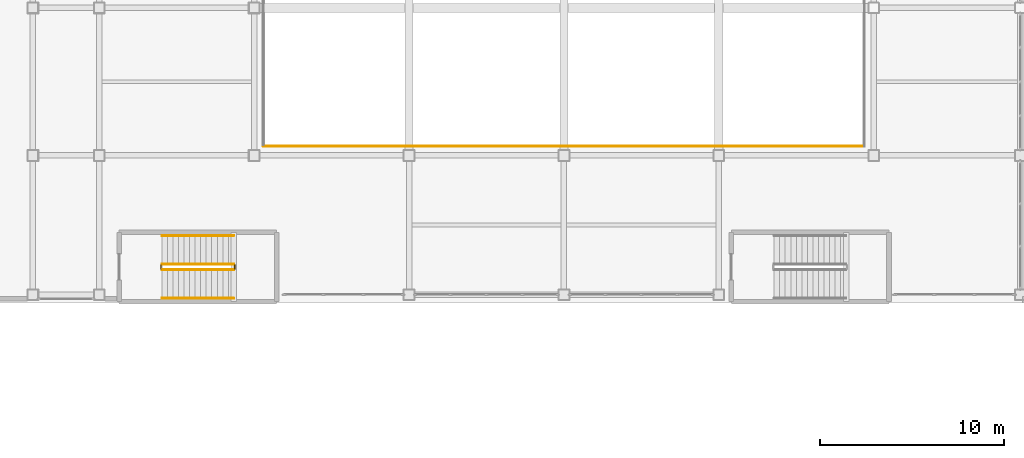
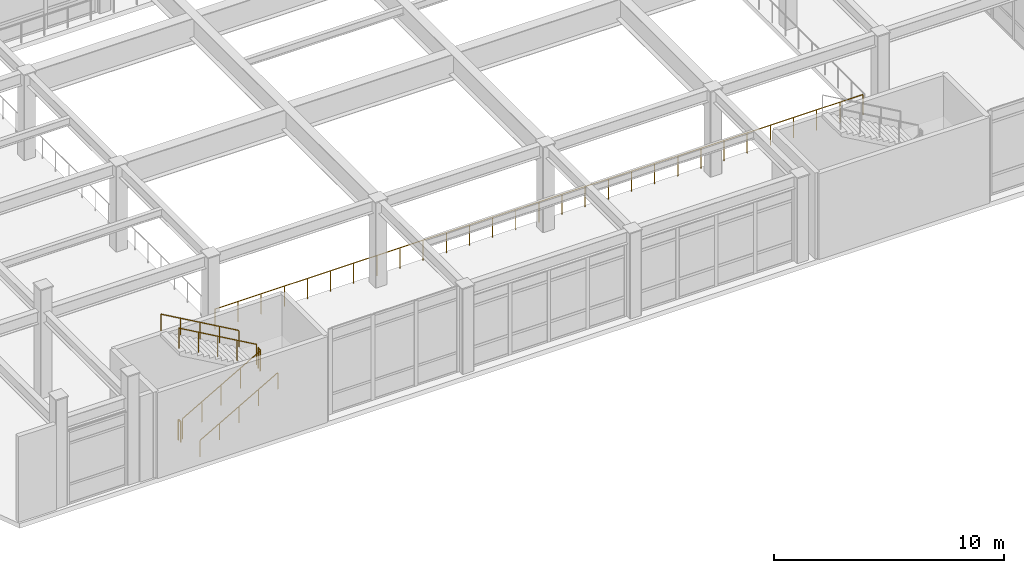
# One storey, part 153 of 172: 7 railings.
"""IFC4 building model written with IfcOpenShell, lengths in metres."""

from ifc_helpers import new_model, si_unit, direction, frame, origin, origin_2d, place, context, subcontext, project, spatial, circle, extrude, material, type_object, element, save


model = new_model("IFC4")

# Units and contexts
model_context = context("Model", 3, precision=1e-05, world=origin(), true_north=direction((0.0, 1.0)))
body_context = subcontext(model_context, "Body", "Model", "MODEL_VIEW")
ifc_project = project(units=[si_unit("LENGTHUNIT", "METRE"), si_unit("AREAUNIT", "SQUARE_METRE"), si_unit("VOLUMEUNIT", "CUBIC_METRE"), si_unit("PLANEANGLEUNIT", "RADIAN"), si_unit("MASSUNIT", "GRAM", prefix="KILO")], contexts=[model_context])

# Site, building, storey
site_placement = place(None, origin())
site = spatial("IfcSite", under=ifc_project, at=site_placement, CompositionType="ELEMENT")
building_placement = place(site_placement, origin())
building = spatial("IfcBuilding", under=site, at=building_placement, Name="Kazehara Bluff Congress Hotel", CompositionType="ELEMENT")
storey_placement = place(building_placement, frame((0.0, 0.0, 5.39990234375)))
storey = spatial("IfcBuildingStorey", under=building, at=storey_placement, Name="L01", CompositionType="ELEMENT", Elevation=5.39990234375)

# Railings
ifc_material_1 = material(Name="Brushed stainless steel", Category="steel")
railing_type_1 = type_object("IfcRailingType", Name="TP-GRD-INT", PredefinedType="GUARDRAIL", material=ifc_material_1)
railing_1_placement = place(storey_placement, frame((11.800048828125, 1.800048828125, 0.171630859375)))
element("IfcRailing", 1, at=railing_1_placement, inside=storey, type_object=railing_type_1, Name="L01 ST-04 stair guard 1", PredefinedType="GUARDRAIL", context=body_context, shape_type="SweptSolid", body=[
    extrude(circle(Radius=0.02392578125, at=origin_2d()), frame((0.0, 0.0, 1.076171875), z_axis=(0.868243142124, 0.0, 0.496138938357), x_axis=(0.0, 1.0, 0.0)), (0.0, 0.0, 1.0), 4.49169921875),
    extrude(circle(Radius=0.02099609375, at=origin_2d()), origin(), (0.0, 0.0, 1.0), 1.052001953125),
    extrude(circle(Radius=0.02099609375, at=origin_2d()), frame((0.97509765625, 0.0, 0.55712890625)), (0.0, 0.0, 1.0), 1.052001953125),
    extrude(circle(Radius=0.02099609375, at=origin_2d()), frame((1.949951171875, 0.0, 1.1142578125)), (0.0, 0.0, 1.0), 1.052001953125),
    extrude(circle(Radius=0.02099609375, at=origin_2d()), frame((2.9248046875, 0.0, 1.67138671875)), (0.0, 0.0, 1.0), 1.052001953125),
    extrude(circle(Radius=0.02099609375, at=origin_2d()), frame((3.89990234375, 0.0, 2.228515625)), (0.0, 0.0, 1.0), 1.052001953125),
])
railing_2_placement = place(storey_placement, frame((15.75, 1.85009765625, 2.400146484375)))
element("IfcRailing", 2, at=railing_2_placement, inside=storey, type_object=railing_type_1, Name="L01 ST-04 stair guard 2", PredefinedType="GUARDRAIL", context=body_context, shape_type="SweptSolid", body=[
    extrude(circle(Radius=0.02392578125, at=origin_2d()), frame((0.0, 0.0, 1.076171875), z_axis=(0.0, 1.0, 0.0), x_axis=(-1.0, 0.0, 0.0)), (0.0, 0.0, 1.0), 0.199951171875),
    extrude(circle(Radius=0.02099609375, at=origin_2d()), origin(), (0.0, 0.0, 1.0), 1.052001953125),
    extrude(circle(Radius=0.02099609375, at=origin_2d()), frame((0.0, 0.199951171875, 0.0)), (0.0, 0.0, 1.0), 1.052001953125),
])
railing_3_placement = place(storey_placement, frame((15.699951171875, 2.10009765625, 2.571533203125)))
element("IfcRailing", 3, at=railing_3_placement, inside=storey, type_object=railing_type_1, Name="L01 ST-04 stair guard 3", PredefinedType="GUARDRAIL", context=body_context, shape_type="SweptSolid", body=[
    extrude(circle(Radius=0.02392578125, at=origin_2d()), frame((0.0, 0.0, 1.076171875), z_axis=(-0.868243142124, 0.0, 0.496138938357), x_axis=(0.0, -1.0, 0.0)), (0.0, 0.0, 1.0), 4.49169921875),
    extrude(circle(Radius=0.02099609375, at=origin_2d()), origin(), (0.0, 0.0, 1.0), 1.052001953125),
    extrude(circle(Radius=0.02099609375, at=origin_2d()), frame((-0.97509765625, 0.0, 0.55712890625)), (0.0, 0.0, 1.0), 1.052001953125),
    extrude(circle(Radius=0.02099609375, at=origin_2d()), frame((-1.949951171875, 0.0, 1.1142578125)), (0.0, 0.0, 1.0), 1.052001953125),
    extrude(circle(Radius=0.02099609375, at=origin_2d()), frame((-2.9248046875, 0.0, 1.67138671875)), (0.0, 0.0, 1.0), 1.052001953125),
    extrude(circle(Radius=0.02099609375, at=origin_2d()), frame((-3.89990234375, 0.0, 2.228515625)), (0.0, 0.0, 1.0), 1.052001953125),
])
railing_4_placement = place(storey_placement, frame((11.75, 1.85009765625, 0.0)))
element("IfcRailing", 4, at=railing_4_placement, inside=storey, type_object=railing_type_1, Name="L01 ST-04 stair guard 4", PredefinedType="GUARDRAIL", context=body_context, shape_type="SweptSolid", body=[
    extrude(circle(Radius=0.02392578125, at=origin_2d()), frame((0.0, 0.0, 1.076171875), z_axis=(0.0, 1.0, 0.0), x_axis=(-1.0, 0.0, 0.0)), (0.0, 0.0, 1.0), 0.199951171875),
    extrude(circle(Radius=0.02099609375, at=origin_2d()), origin(), (0.0, 0.0, 1.0), 1.052001953125),
    extrude(circle(Radius=0.02099609375, at=origin_2d()), frame((0.0, 0.199951171875, 0.0)), (0.0, 0.0, 1.0), 1.052001953125),
])
railing_5_placement = place(storey_placement, frame((17.300048828125, 8.5, 0.0)))
element("IfcRailing", 5, at=railing_5_placement, inside=storey, type_object=railing_type_1, Name="L01 V2-VOID void guardrail S", PredefinedType="GUARDRAIL", context=body_context, shape_type="SweptSolid", body=[
    extrude(circle(Radius=0.02392578125, at=origin_2d()), frame((0.0, 0.0, 1.076171875), z_axis=(1.0, 0.0, 0.0), x_axis=(0.0, 1.0, 0.0)), (0.0, 0.0, 1.0), 32.52001953125),
    extrude(circle(Radius=0.02099609375, at=origin_2d()), origin(), (0.0, 0.0, 1.0), 1.052001953125),
    extrude(circle(Radius=0.02099609375, at=origin_2d()), frame((1.161376953125, 0.0, 0.0)), (0.0, 0.0, 1.0), 1.052001953125),
    extrude(circle(Radius=0.02099609375, at=origin_2d()), frame((2.32275390625, 0.0, 0.0)), (0.0, 0.0, 1.0), 1.052001953125),
    extrude(circle(Radius=0.02099609375, at=origin_2d()), frame((3.484375, 0.0, 0.0)), (0.0, 0.0, 1.0), 1.052001953125),
    extrude(circle(Radius=0.02099609375, at=origin_2d()), frame((4.645751953125, 0.0, 0.0)), (0.0, 0.0, 1.0), 1.052001953125),
    extrude(circle(Radius=0.02099609375, at=origin_2d()), frame((5.80712890625, 0.0, 0.0)), (0.0, 0.0, 1.0), 1.052001953125),
    extrude(circle(Radius=0.02099609375, at=origin_2d()), frame((6.968505859375, 0.0, 0.0)), (0.0, 0.0, 1.0), 1.052001953125),
    extrude(circle(Radius=0.02099609375, at=origin_2d()), frame((8.1298828125, 0.0, 0.0)), (0.0, 0.0, 1.0), 1.052001953125),
    extrude(circle(Radius=0.02099609375, at=origin_2d()), frame((9.29150390625, 0.0, 0.0)), (0.0, 0.0, 1.0), 1.052001953125),
    extrude(circle(Radius=0.02099609375, at=origin_2d()), frame((10.452880859375, 0.0, 0.0)), (0.0, 0.0, 1.0), 1.052001953125),
    extrude(circle(Radius=0.02099609375, at=origin_2d()), frame((11.6142578125, 0.0, 0.0)), (0.0, 0.0, 1.0), 1.052001953125),
    extrude(circle(Radius=0.02099609375, at=origin_2d()), frame((12.775634765625, 0.0, 0.0)), (0.0, 0.0, 1.0), 1.052001953125),
    extrude(circle(Radius=0.02099609375, at=origin_2d()), frame((13.937255859375, 0.0, 0.0)), (0.0, 0.0, 1.0), 1.052001953125),
    extrude(circle(Radius=0.02099609375, at=origin_2d()), frame((15.0986328125, 0.0, 0.0)), (0.0, 0.0, 1.0), 1.052001953125),
    extrude(circle(Radius=0.02099609375, at=origin_2d()), frame((16.260009765625, 0.0, 0.0)), (0.0, 0.0, 1.0), 1.052001953125),
    extrude(circle(Radius=0.02099609375, at=origin_2d()), frame((17.42138671875, 0.0, 0.0)), (0.0, 0.0, 1.0), 1.052001953125),
    extrude(circle(Radius=0.02099609375, at=origin_2d()), frame((18.582763671875, 0.0, 0.0)), (0.0, 0.0, 1.0), 1.052001953125),
    extrude(circle(Radius=0.02099609375, at=origin_2d()), frame((19.744384765625, 0.0, 0.0)), (0.0, 0.0, 1.0), 1.052001953125),
    extrude(circle(Radius=0.02099609375, at=origin_2d()), frame((20.90576171875, 0.0, 0.0)), (0.0, 0.0, 1.0), 1.052001953125),
    extrude(circle(Radius=0.02099609375, at=origin_2d()), frame((22.067138671875, 0.0, 0.0)), (0.0, 0.0, 1.0), 1.052001953125),
    extrude(circle(Radius=0.02099609375, at=origin_2d()), frame((23.228515625, 0.0, 0.0)), (0.0, 0.0, 1.0), 1.052001953125),
    extrude(circle(Radius=0.02099609375, at=origin_2d()), frame((24.39013671875, 0.0, 0.0)), (0.0, 0.0, 1.0), 1.052001953125),
    extrude(circle(Radius=0.02099609375, at=origin_2d()), frame((25.551513671875, 0.0, 0.0)), (0.0, 0.0, 1.0), 1.052001953125),
    extrude(circle(Radius=0.02099609375, at=origin_2d()), frame((26.712890625, 0.0, 0.0)), (0.0, 0.0, 1.0), 1.052001953125),
    extrude(circle(Radius=0.02099609375, at=origin_2d()), frame((27.874267578125, 0.0, 0.0)), (0.0, 0.0, 1.0), 1.052001953125),
    extrude(circle(Radius=0.02099609375, at=origin_2d()), frame((29.03564453125, 0.0, 0.0)), (0.0, 0.0, 1.0), 1.052001953125),
    extrude(circle(Radius=0.02099609375, at=origin_2d()), frame((30.197265625, 0.0, 0.0)), (0.0, 0.0, 1.0), 1.052001953125),
    extrude(circle(Radius=0.02099609375, at=origin_2d()), frame((31.358642578125, 0.0, 0.0)), (0.0, 0.0, 1.0), 1.052001953125),
    extrude(circle(Radius=0.02099609375, at=origin_2d()), frame((32.52001953125, 0.0, 0.0)), (0.0, 0.0, 1.0), 1.052001953125),
])
ifc_material_2 = material(Name="Brushed stainless steel", Category="steel")
railing_type_2 = type_object("IfcRailingType", Name="TP-HR-INT", PredefinedType="HANDRAIL", material=ifc_material_2)
railing_6_placement = place(storey_placement, frame((11.800048828125, 0.25, 0.171630859375)))
element("IfcRailing", 6, at=railing_6_placement, inside=storey, type_object=railing_type_2, Name="L01 ST-04 stair handrail 1", PredefinedType="HANDRAIL", context=body_context, shape_type="SweptSolid", body=[
    extrude(circle(Radius=0.02392578125, at=origin_2d()), frame((0.0, 0.0, 0.8759765625), z_axis=(0.868243142124, 0.0, 0.496138938357), x_axis=(0.0, 1.0, 0.0)), (0.0, 0.0, 1.0), 4.49169921875),
    extrude(circle(Radius=0.02099609375, at=origin_2d()), origin(), (0.0, 0.0, 1.0), 0.851806640625),
    extrude(circle(Radius=0.02099609375, at=origin_2d()), frame((0.97509765625, 0.0, 0.55712890625)), (0.0, 0.0, 1.0), 0.851806640625),
    extrude(circle(Radius=0.02099609375, at=origin_2d()), frame((1.949951171875, 0.0, 1.1142578125)), (0.0, 0.0, 1.0), 0.851806640625),
    extrude(circle(Radius=0.02099609375, at=origin_2d()), frame((2.9248046875, 0.0, 1.67138671875)), (0.0, 0.0, 1.0), 0.851806640625),
    extrude(circle(Radius=0.02099609375, at=origin_2d()), frame((3.89990234375, 0.0, 2.228515625)), (0.0, 0.0, 1.0), 0.851806640625),
])
railing_7_placement = place(storey_placement, frame((15.699951171875, 3.64990234375, 2.571533203125)))
element("IfcRailing", 7, at=railing_7_placement, inside=storey, type_object=railing_type_2, Name="L01 ST-04 stair handrail 2", PredefinedType="HANDRAIL", context=body_context, shape_type="SweptSolid", body=[
    extrude(circle(Radius=0.02392578125, at=origin_2d()), frame((0.0, 0.0, 0.8759765625), z_axis=(-0.868243142124, 0.0, 0.496138938357), x_axis=(0.0, -1.0, 0.0)), (0.0, 0.0, 1.0), 4.49169921875),
    extrude(circle(Radius=0.02099609375, at=origin_2d()), origin(), (0.0, 0.0, 1.0), 0.851806640625),
    extrude(circle(Radius=0.02099609375, at=origin_2d()), frame((-0.97509765625, 0.0, 0.55712890625)), (0.0, 0.0, 1.0), 0.851806640625),
    extrude(circle(Radius=0.02099609375, at=origin_2d()), frame((-1.949951171875, 0.0, 1.1142578125)), (0.0, 0.0, 1.0), 0.851806640625),
    extrude(circle(Radius=0.02099609375, at=origin_2d()), frame((-2.9248046875, 0.0, 1.67138671875)), (0.0, 0.0, 1.0), 0.851806640625),
    extrude(circle(Radius=0.02099609375, at=origin_2d()), frame((-3.89990234375, 0.0, 2.228515625)), (0.0, 0.0, 1.0), 0.851806640625),
])

save(model, "model.ifc")
